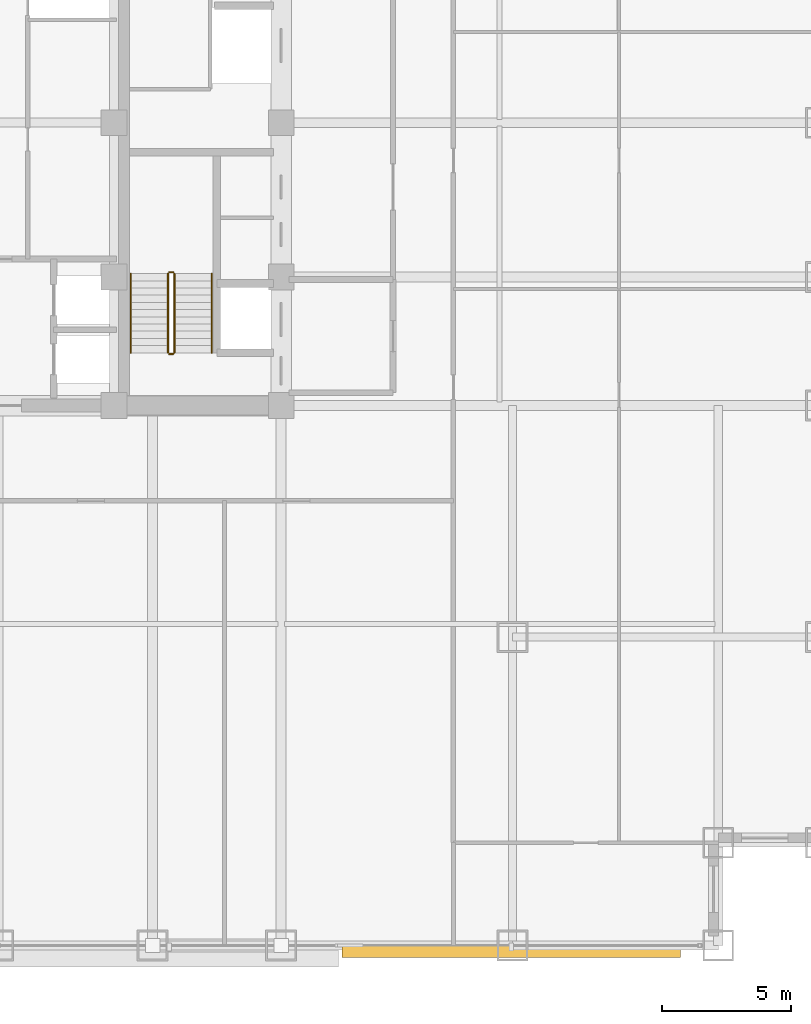
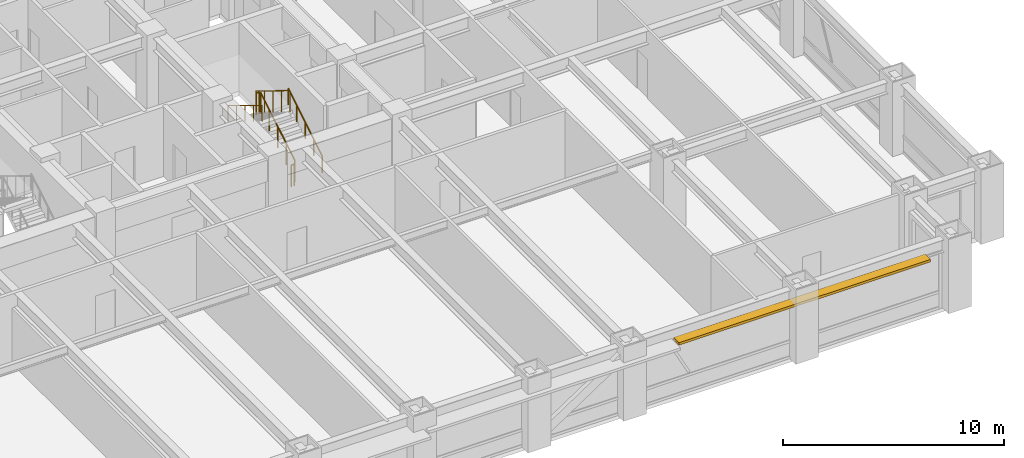
# One storey, part 30 of 32: 6 railings, 1 shading device.
"""IFC4 building model written with IfcOpenShell, lengths in metres."""

from ifc_helpers import new_model, si_unit, direction, frame, origin, origin_2d, place, context, subcontext, project, spatial, rectangle, circle, extrude, source, transform, mapped, material, layer, layer_set, type_object, element, save


model = new_model("IFC4")

# Units and contexts
model_context = context("Model", 3, precision=1e-05, world=origin(), true_north=direction((0.0, 1.0)))
body_context = subcontext(model_context, "Body", "Model", "MODEL_VIEW")
ifc_project = project(units=[si_unit("LENGTHUNIT", "METRE"), si_unit("AREAUNIT", "SQUARE_METRE"), si_unit("VOLUMEUNIT", "CUBIC_METRE"), si_unit("PLANEANGLEUNIT", "RADIAN"), si_unit("MASSUNIT", "GRAM", prefix="KILO")], contexts=[model_context])

# Site, building, storey
site_placement = place(None, origin())
site = spatial("IfcSite", under=ifc_project, at=site_placement, CompositionType="ELEMENT")
building_placement = place(site_placement, origin())
building = spatial("IfcBuilding", under=site, at=building_placement, Name="Khorayat Bourse Tower", CompositionType="ELEMENT")
storey_placement = place(building_placement, frame((0.0, 0.0, 136.5)))
storey = spatial("IfcBuildingStorey", under=building, at=storey_placement, Name="L31", CompositionType="ELEMENT", Elevation=136.5)

# Shading device
ifc_material_1 = material(Name="Precast concrete C45/55", Category="concrete")
ifc_layer = layer(ifc_material_1, 0.139892578125)
ifc_layer_set = layer_set([ifc_layer], Name="Precast concrete C45/55")
shading_device_type = type_object("IfcShadingDeviceType", Name="SHD-WAVE-TRAY-B", PredefinedType="USERDEFINED", material=ifc_layer_set)
shared_shape_1 = source(origin(), body_context, "Body", "SweptSolid", [
    extrude(rectangle(XDim=13.159912109375, YDim=0.482666015625, at=origin_2d()), origin(), (0.0, 0.0, 1.0), 0.139892578125),
])
shading_device_placement = place(storey_placement, frame((19.949951171875, -32.221435546875, 3.08984375), z_axis=(0.0, 0.0, 1.0), x_axis=(1.0, 0.0, 0.0)))
element("IfcShadingDevice", 1, at=shading_device_placement, inside=storey, type_object=shading_device_type, Name="L31 Sinusoidal Wave Sunshade Tray S-4", ObjectType="SUNSHADE", PredefinedType="USERDEFINED", context=body_context, shape_type="MappedRepresentation", body=[
    mapped(shared_shape_1, transform((0.0, 0.0, 0.0), scale=1.0)),
])

# Railings
ifc_material_2 = material(Name="Powder-coated steel balustrade", Category="steel")
railing_type_1 = type_object("IfcRailingType", Name="RLG-GUARD-1200", PredefinedType="GUARDRAIL", material=ifc_material_2)
shared_shape_2 = source(origin(), body_context, "Body", "SweptSolid", [
    extrude(circle(Radius=0.02392578125, at=origin_2d()), frame((0.0, 0.0, 1.17578125), z_axis=(-1.0, 0.0, 0.0), x_axis=(0.0, -1.0, 0.0)), (0.0, 0.0, 1.0), 0.150146484375),
    extrude(circle(Radius=0.02099609375, at=origin_2d()), origin(), (0.0, 0.0, 1.0), 1.15185546875),
    extrude(circle(Radius=0.02099609375, at=origin_2d()), frame((-0.150146484375, 0.0, 0.0)), (0.0, 0.0, 1.0), 1.15185546875),
])
for number, where, name in (
    (2, (6.800048828125, -5.820068359375, 2.050048828125), "L31 ST-3 stair guard 2"),
    (3, (6.800048828125, -9.0, 0.0), "L31 ST-3 stair guard 4"),
):
    element("IfcRailing", number, at=place(storey_placement, frame(where)), inside=storey, type_object=railing_type_1, Name=name, PredefinedType="GUARDRAIL", context=body_context, shape_type="MappedRepresentation", body=[
        mapped(shared_shape_2, transform((0.0, 0.0, 0.0), scale=1.0)),
    ])
shared_shape_3 = source(origin(), body_context, "Body", "SweptSolid", [
    extrude(circle(Radius=0.02392578125, at=origin_2d()), frame((0.0, 0.0, 1.17578125), z_axis=(0.0, 0.853647949592, 0.520850437417), x_axis=(-1.0, 0.0, 0.0)), (0.0, 0.0, 1.0), 3.60791015625),
    extrude(circle(Radius=0.02099609375, at=origin_2d()), origin(), (0.0, 0.0, 1.0), 1.15185546875),
    extrude(circle(Radius=0.02099609375, at=origin_2d()), frame((0.0, 0.77001953125, 0.4697265625)), (0.0, 0.0, 1.0), 1.15185546875),
    extrude(circle(Radius=0.02099609375, at=origin_2d()), frame((0.0, 1.5400390625, 0.939453125)), (0.0, 0.0, 1.0), 1.15185546875),
    extrude(circle(Radius=0.02099609375, at=origin_2d()), frame((0.0, 2.309814453125, 1.409423828125)), (0.0, 0.0, 1.0), 1.15185546875),
    extrude(circle(Radius=0.02099609375, at=origin_2d()), frame((0.0, 3.079833984375, 1.879150390625)), (0.0, 0.0, 1.0), 1.15185546875),
])
railing_1_placement = place(storey_placement, frame((6.85009765625, -8.949951171875, 0.1708984375)))
element("IfcRailing", 4, at=railing_1_placement, inside=storey, type_object=railing_type_1, Name="L31 ST-3 stair guard 1", PredefinedType="GUARDRAIL", context=body_context, shape_type="MappedRepresentation", body=[
    mapped(shared_shape_3, transform((0.0, 0.0, 0.0), scale=1.0)),
])
shared_shape_4 = source(origin(), body_context, "Body", "SweptSolid", [
    extrude(circle(Radius=0.02392578125, at=origin_2d()), frame((0.0, 0.0, 1.17578125), z_axis=(0.0, -0.853647949592, 0.520850437417), x_axis=(1.0, 0.0, 0.0)), (0.0, 0.0, 1.0), 3.60791015625),
    extrude(circle(Radius=0.02099609375, at=origin_2d()), origin(), (0.0, 0.0, 1.0), 1.15185546875),
    extrude(circle(Radius=0.02099609375, at=origin_2d()), frame((0.0, -0.77001953125, 0.4697265625)), (0.0, 0.0, 1.0), 1.15185546875),
    extrude(circle(Radius=0.02099609375, at=origin_2d()), frame((0.0, -1.5400390625, 0.939453125)), (0.0, 0.0, 1.0), 1.15185546875),
    extrude(circle(Radius=0.02099609375, at=origin_2d()), frame((0.0, -2.309814453125, 1.409423828125)), (0.0, 0.0, 1.0), 1.15185546875),
    extrude(circle(Radius=0.02099609375, at=origin_2d()), frame((0.0, -3.079833984375, 1.879150390625)), (0.0, 0.0, 1.0), 1.15185546875),
])
railing_2_placement = place(storey_placement, frame((6.60009765625, -5.8701171875, 2.220947265625)))
element("IfcRailing", 5, at=railing_2_placement, inside=storey, type_object=railing_type_1, Name="L31 ST-3 stair guard 3", PredefinedType="GUARDRAIL", context=body_context, shape_type="MappedRepresentation", body=[
    mapped(shared_shape_4, transform((0.0, 0.0, 0.0), scale=1.0)),
])
ifc_material_3 = material(Name="Brushed bronze stainless-steel handrail", Category="steel")
railing_type_2 = type_object("IfcRailingType", Name="RLG-HAND-900", PredefinedType="HANDRAIL", material=ifc_material_3)
shared_shape_5 = source(origin(), body_context, "Body", "SweptSolid", [
    extrude(circle(Radius=0.02392578125, at=origin_2d()), frame((0.0, 0.0, 0.8759765625), z_axis=(0.0, 0.853647949592, 0.520850437417), x_axis=(-1.0, 0.0, 0.0)), (0.0, 0.0, 1.0), 3.60791015625),
    extrude(circle(Radius=0.02099609375, at=origin_2d()), origin(), (0.0, 0.0, 1.0), 0.851806640625),
    extrude(circle(Radius=0.02099609375, at=origin_2d()), frame((0.0, 0.77001953125, 0.4697265625)), (0.0, 0.0, 1.0), 0.851806640625),
    extrude(circle(Radius=0.02099609375, at=origin_2d()), frame((0.0, 1.5400390625, 0.939453125)), (0.0, 0.0, 1.0), 0.851806640625),
    extrude(circle(Radius=0.02099609375, at=origin_2d()), frame((0.0, 2.309814453125, 1.409423828125)), (0.0, 0.0, 1.0), 0.851806640625),
    extrude(circle(Radius=0.02099609375, at=origin_2d()), frame((0.0, 3.079833984375, 1.879150390625)), (0.0, 0.0, 1.0), 0.851806640625),
])
railing_3_placement = place(storey_placement, frame((8.300048828125, -8.949951171875, 0.1708984375)))
element("IfcRailing", 6, at=railing_3_placement, inside=storey, type_object=railing_type_2, Name="L31 ST-3 stair handrail 1", PredefinedType="HANDRAIL", context=body_context, shape_type="MappedRepresentation", body=[
    mapped(shared_shape_5, transform((0.0, 0.0, 0.0), scale=1.0)),
])
shared_shape_6 = source(origin(), body_context, "Body", "SweptSolid", [
    extrude(circle(Radius=0.02392578125, at=origin_2d()), frame((0.0, 0.0, 0.8759765625), z_axis=(0.0, -0.853647949592, 0.520850437417), x_axis=(1.0, 0.0, 0.0)), (0.0, 0.0, 1.0), 3.60791015625),
    extrude(circle(Radius=0.02099609375, at=origin_2d()), origin(), (0.0, 0.0, 1.0), 0.851806640625),
    extrude(circle(Radius=0.02099609375, at=origin_2d()), frame((0.0, -0.77001953125, 0.4697265625)), (0.0, 0.0, 1.0), 0.851806640625),
    extrude(circle(Radius=0.02099609375, at=origin_2d()), frame((0.0, -1.5400390625, 0.939453125)), (0.0, 0.0, 1.0), 0.851806640625),
    extrude(circle(Radius=0.02099609375, at=origin_2d()), frame((0.0, -2.309814453125, 1.409423828125)), (0.0, 0.0, 1.0), 0.851806640625),
    extrude(circle(Radius=0.02099609375, at=origin_2d()), frame((0.0, -3.079833984375, 1.879150390625)), (0.0, 0.0, 1.0), 0.851806640625),
])
railing_4_placement = place(storey_placement, frame((5.14990234375, -5.8701171875, 2.220947265625)))
element("IfcRailing", 7, at=railing_4_placement, inside=storey, type_object=railing_type_2, Name="L31 ST-3 stair handrail 2", PredefinedType="HANDRAIL", context=body_context, shape_type="MappedRepresentation", body=[
    mapped(shared_shape_6, transform((0.0, 0.0, 0.0), scale=1.0)),
])

save(model, "model.ifc")
